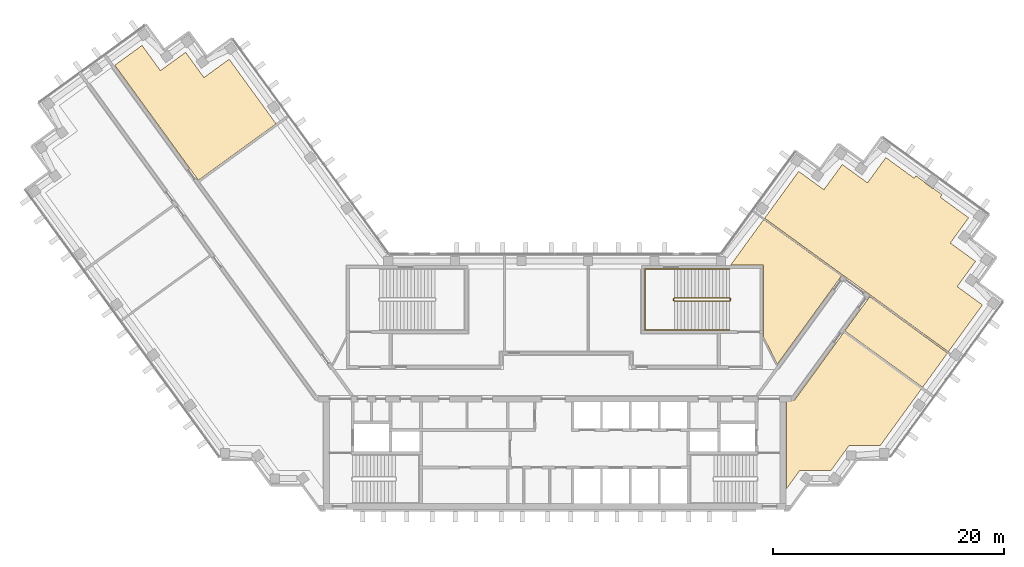
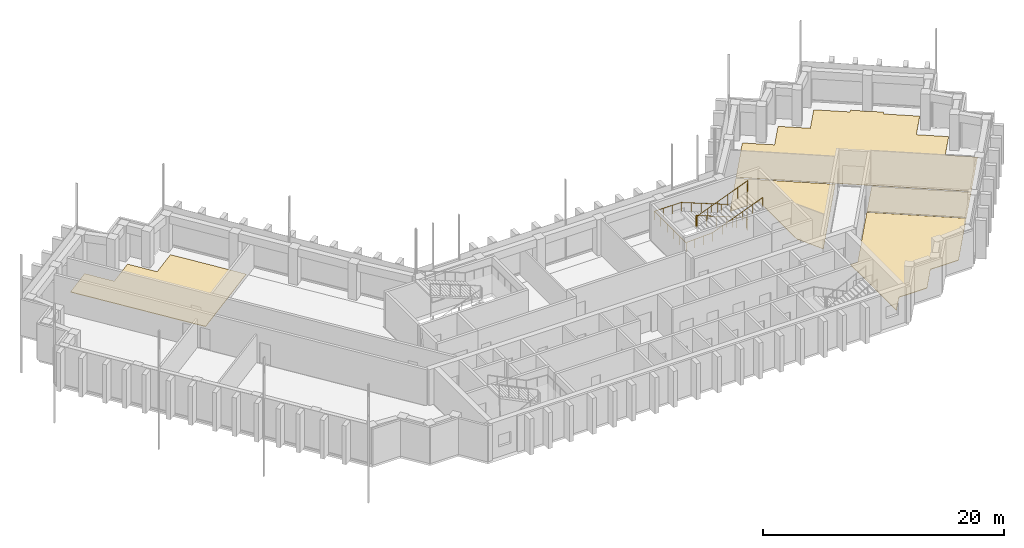
# One storey, part 12 of 12: 5 coverings, 2 railings.
"""IFC4 building model written with IfcOpenShell, lengths in metres."""

from ifc_helpers import new_model, si_unit, direction, frame, origin, origin_2d, place, context, subcontext, project, spatial, polyline, circle, outline, extrude, material, layer, layer_set, type_object, element, save


model = new_model("IFC4")

# Units and contexts
model_context = context("Model", 3, precision=1e-05, world=origin(), true_north=direction((0.0, 1.0)))
body_context = subcontext(model_context, "Body", "Model", "MODEL_VIEW")
ifc_project = project(units=[si_unit("LENGTHUNIT", "METRE"), si_unit("AREAUNIT", "SQUARE_METRE"), si_unit("VOLUMEUNIT", "CUBIC_METRE"), si_unit("PLANEANGLEUNIT", "RADIAN"), si_unit("MASSUNIT", "GRAM", prefix="KILO")], contexts=[model_context])

# Site, building, storey
site_placement = place(None, origin())
site = spatial("IfcSite", under=ifc_project, at=site_placement, CompositionType="ELEMENT")
building_placement = place(site_placement, origin())
building = spatial("IfcBuilding", under=site, at=building_placement, Name="Quipu Civic Tower", CompositionType="ELEMENT")
storey_placement = place(building_placement, frame((0.0, 0.0, 234.0)))
storey = spatial("IfcBuildingStorey", under=building, at=storey_placement, Name="L55", CompositionType="ELEMENT", Elevation=234.0)

# Coverings
ifc_material_1 = material(Name="Carpet tile on raised access floor")
ifc_layer_1 = layer(ifc_material_1, 0.02001953125)
ifc_layer_set_1 = layer_set([ifc_layer_1], Name="Carpet tile on raised access floor")
covering_type_1 = type_object("IfcCoveringType", Name="Carpet tile floor finish 20", PredefinedType="FLOORING", material=ifc_layer_set_1)
covering_1_placement = place(storey_placement, origin())
element("IfcCovering", 1, at=covering_1_placement, inside=storey, type_object=covering_type_1, Name="Carpet tile floor finish 20", PredefinedType="FLOORING", context=body_context, shape_type="SweptSolid", body=[
    extrude(outline(polyline([(15.238037109375, 10.169921875), (18.089111328125, 14.093994140625), (24.81201171875, 9.2109375), (19.27197265625, 1.583984375), (18.070068359375, 3.94189453125), (18.070068359375, 10.1689453125), (15.238037109375, 10.169921875)])), origin(), (0.0, 0.0, 1.0), 0.02001953125),
])
covering_2_placement = place(storey_placement, origin())
element("IfcCovering", 2, at=covering_2_placement, inside=storey, type_object=covering_type_1, Name="Carpet tile floor finish 20", PredefinedType="FLOORING", context=body_context, shape_type="SweptSolid", body=[
    extrude(outline(polyline([(18.172119140625, 14.20703125), (21.116943359375, 18.260986328125), (23.301025390625, 16.675048828125), (24.887939453125, 18.85791015625), (27.073974609375, 17.27197265625), (28.658935546875, 19.455078125), (31.116943359375, 17.6708984375), (31.27099609375, 17.8798828125), (32.032958984375, 17.325927734375), (32.032958984375, 17.324951171875), (32.031005859375, 17.321044921875), (32.030029296875, 17.31591796875), (32.029052734375, 17.31103515625), (32.028076171875, 17.305908203125), (32.028076171875, 17.302001953125), (32.029052734375, 17.297119140625), (32.030029296875, 17.2919921875), (32.031005859375, 17.287109375), (32.032958984375, 17.282958984375), (32.035888671875, 17.278076171875), (32.0380859375, 17.27392578125), (32.041015625, 17.27099609375), (32.044921875, 17.26708984375), (32.049072265625, 17.263916015625), (32.696044921875, 16.7939453125), (32.699951171875, 16.791015625), (32.7041015625, 16.7890625), (32.708984375, 16.787109375), (32.714111328125, 16.785888671875), (32.718994140625, 16.784912109375), (32.722900390625, 16.783935546875), (32.72802734375, 16.783935546875), (32.73291015625, 16.784912109375), (32.738037109375, 16.785888671875), (32.742919921875, 16.787109375), (32.7470703125, 16.7890625), (32.751953125, 16.7919921875), (32.756103515625, 16.7939453125), (32.759033203125, 16.798095703125), (32.760009765625, 16.798095703125), (33.52197265625, 16.2451171875), (33.3701171875, 16.032958984375), (35.826904296875, 14.248046875), (34.240966796875, 12.06396484375), (36.425048828125, 10.47607421875), (34.839111328125, 8.291015625), (37.02197265625, 6.7060546875), (34.077880859375, 2.652099609375), (18.172119140625, 14.20703125)])), origin(), (0.0, 0.0, 1.0), 0.02001953125),
])
ifc_material_2 = material(Name="Ceramic floor tile")
ifc_layer_2 = layer(ifc_material_2, 0.030029296875)
ifc_layer_set_2 = layer_set([ifc_layer_2], Name="Ceramic floor tile")
covering_type_2 = type_object("IfcCoveringType", Name="Ceramic tile floor finish 30", PredefinedType="FLOORING", material=ifc_layer_set_2)
covering_3_placement = place(storey_placement, origin())
element("IfcCovering", 3, at=covering_3_placement, inside=storey, type_object=covering_type_2, Name="Ceramic tile floor finish 30", PredefinedType="FLOORING", context=body_context, shape_type="SweptSolid", body=[
    extrude(outline(polyline([(25.117919921875, 4.4580078125), (27.27197265625, 7.423095703125), (33.9951171875, 2.5390625), (31.841064453125, -0.426025390625), (25.117919921875, 4.4580078125)])), origin(), (0.0, 0.0, 1.0), 0.030029296875),
])
ifc_material_3 = material(Name="Sealed cement screed")
ifc_layer_3 = layer(ifc_material_3, 0.050048828125)
ifc_layer_set_3 = layer_set([ifc_layer_3], Name="Sealed cement screed")
covering_type_3 = type_object("IfcCoveringType", Name="Sealed screed floor finish 50", PredefinedType="FLOORING", material=ifc_layer_set_3)
covering_4_placement = place(storey_placement, origin())
element("IfcCovering", 4, at=covering_4_placement, inside=storey, type_object=covering_type_3, Name="Sealed screed floor finish 50", PredefinedType="FLOORING", context=body_context, shape_type="SweptSolid", body=[
    extrude(outline(polyline([(20.070068359375, -9.195068359375), (20.070068359375, -1.52001953125), (20.77490234375, -1.51904296875), (25.034912109375, 4.344970703125), (31.758056640625, -0.5390625), (28.181884765625, -5.4609375), (25.48193359375, -5.4619140625), (23.89501953125, -7.64599609375), (21.196044921875, -7.64599609375), (20.070068359375, -9.195068359375)])), origin(), (0.0, 0.0, 1.0), 0.050048828125),
])
covering_5_placement = place(storey_placement, origin())
element("IfcCovering", 5, at=covering_5_placement, inside=storey, type_object=covering_type_3, Name="Sealed screed floor finish 50", PredefinedType="FLOORING", context=body_context, shape_type="SweptSolid", body=[
    extrude(outline(polyline([(-38.06689453125, 27.4541015625), (-35.712890625, 29.1640625), (-34.126953125, 26.97998046875), (-31.94091796875, 28.56591796875), (-30.35400390625, 26.383056640625), (-28.169921875, 27.968994140625), (-24.112060546875, 22.382080078125), (-30.8349609375, 17.4990234375), (-38.06689453125, 27.4541015625)])), origin(), (0.0, 0.0, 1.0), 0.050048828125),
])

# Railings
ifc_material_4 = material(Name="Stainless steel", Category="steel")
railing_type_1 = type_object("IfcRailingType", Name="Stair guard 1100", PredefinedType="GUARDRAIL", material=ifc_material_4)
railing_1_placement = place(storey_placement, frame((15.14990234375, 7.300048828125, 0.11767578125)))
element("IfcRailing", 6, at=railing_1_placement, inside=storey, type_object=railing_type_1, Name="Stair 4 guard", PredefinedType="GUARDRAIL", context=body_context, shape_type="SweptSolid", body=[
    extrude(circle(Radius=0.02392578125, at=origin_2d()), frame((0.0, 0.0, 1.076171875), z_axis=(-0.930970042603, 0.0, 0.365095576219), x_axis=(0.0, -1.0, 0.0)), (0.0, 0.0, 1.0), 5.15576171875),
    extrude(circle(Radius=0.02392578125, at=origin_2d()), frame((-4.7998046875, 0.0, 2.95849609375), z_axis=(-0.707106781187, -0.707106781187, 0.0), x_axis=(0.707106781187, -0.707106781187, 0.0)), (0.0, 0.0, 1.0), 0.07080078125),
    extrude(circle(Radius=0.02392578125, at=origin_2d()), frame((-4.849853515625, -0.050048828125, 2.95849609375), z_axis=(0.0, -1.0, 0.0), x_axis=(1.0, 0.0, 0.0)), (0.0, 0.0, 1.0), 0.14990234375),
    extrude(circle(Radius=0.02392578125, at=origin_2d()), frame((-4.849853515625, -0.199951171875, 2.95849609375), z_axis=(0.364463019033, -0.364463019033, 0.856932561824), x_axis=(0.707106781187, 0.707106781187, 0.0)), (0.0, 0.0, 1.0), 0.13720703125),
    extrude(circle(Radius=0.02392578125, at=origin_2d()), frame((-4.7998046875, -0.25, 3.076171875), z_axis=(0.930970042603, 0.0, 0.365095576219), x_axis=(0.0, 1.0, 0.0)), (0.0, 0.0, 1.0), 5.15576171875),
    extrude(circle(Radius=0.02392578125, at=origin_2d()), frame((0.0, -0.25, 4.95849609375), z_axis=(0.012495627992, 0.049921557685, -0.998674970829), x_axis=(-0.970072785993, 0.242814311512, 0.0)), (0.0, 0.0, 1.0), 4.00537109375),
    extrude(circle(Radius=0.02392578125, at=origin_2d()), frame((0.050048828125, -0.050048828125, 0.95849609375), z_axis=(0.0, -1.0, 0.0), x_axis=(1.0, 0.0, 0.0)), (0.0, 0.0, 1.0), 0.14990234375),
    extrude(circle(Radius=0.02099609375, at=origin_2d()), origin(), (0.0, 0.0, 1.0), 1.052001953125),
    extrude(circle(Radius=0.02099609375, at=origin_2d()), frame((-0.9599609375, 0.0, 0.37646484375)), (0.0, 0.0, 1.0), 1.052001953125),
    extrude(circle(Radius=0.02099609375, at=origin_2d()), frame((-1.919921875, 0.0, 0.7529296875)), (0.0, 0.0, 1.0), 1.052001953125),
    extrude(circle(Radius=0.02099609375, at=origin_2d()), frame((-2.8798828125, 0.0, 1.12939453125)), (0.0, 0.0, 1.0), 1.052001953125),
    extrude(circle(Radius=0.02099609375, at=origin_2d()), frame((-3.83984375, 0.0, 1.505859375)), (0.0, 0.0, 1.0), 1.052001953125),
    extrude(circle(Radius=0.02099609375, at=origin_2d()), frame((-4.7998046875, 0.0, 1.88232421875)), (0.0, 0.0, 1.0), 1.052001953125),
    extrude(circle(Radius=0.02099609375, at=origin_2d()), frame((-4.849853515625, -0.050048828125, 1.88232421875)), (0.0, 0.0, 1.0), 1.052001953125),
    extrude(circle(Radius=0.02099609375, at=origin_2d()), frame((-4.849853515625, -0.199951171875, 1.88232421875)), (0.0, 0.0, 1.0), 1.052001953125),
    extrude(circle(Radius=0.02099609375, at=origin_2d()), frame((-4.7998046875, -0.25, 2.0)), (0.0, 0.0, 1.0), 1.052001953125),
    extrude(circle(Radius=0.02099609375, at=origin_2d()), frame((-3.83984375, -0.25, 2.37646484375)), (0.0, 0.0, 1.0), 1.052001953125),
    extrude(circle(Radius=0.02099609375, at=origin_2d()), frame((-2.8798828125, -0.25, 2.7529296875)), (0.0, 0.0, 1.0), 1.052001953125),
    extrude(circle(Radius=0.02099609375, at=origin_2d()), frame((-1.919921875, -0.25, 3.12939453125)), (0.0, 0.0, 1.0), 1.052001953125),
    extrude(circle(Radius=0.02099609375, at=origin_2d()), frame((-0.9599609375, -0.25, 3.505859375)), (0.0, 0.0, 1.0), 1.052001953125),
    extrude(circle(Radius=0.02099609375, at=origin_2d()), frame((0.0, -0.25, 3.88232421875)), (0.0, 0.0, 1.0), 1.052001953125),
    extrude(circle(Radius=0.02099609375, at=origin_2d()), frame((0.012451171875, -0.199951171875, 2.88232421875)), (0.0, 0.0, 1.0), 1.052001953125),
    extrude(circle(Radius=0.02099609375, at=origin_2d()), frame((0.02490234375, -0.14990234375, 1.88232421875)), (0.0, 0.0, 1.0), 1.052001953125),
    extrude(circle(Radius=0.02099609375, at=origin_2d()), frame((0.03759765625, -0.10009765625, 0.88232421875)), (0.0, 0.0, 1.0), 1.052001953125),
    extrude(circle(Radius=0.02099609375, at=origin_2d()), frame((0.050048828125, -0.050048828125, -0.11767578125)), (0.0, 0.0, 1.0), 1.052001953125),
    extrude(circle(Radius=0.02099609375, at=origin_2d()), frame((0.050048828125, -0.199951171875, -0.11767578125)), (0.0, 0.0, 1.0), 1.052001953125),
])
ifc_material_5 = material(Name="Stainless steel", Category="steel")
railing_type_2 = type_object("IfcRailingType", Name="Stair handrail", PredefinedType="HANDRAIL", material=ifc_material_5)
railing_2_placement = place(storey_placement, frame((15.14990234375, 9.800048828125, 0.11767578125)))
element("IfcRailing", 7, at=railing_2_placement, inside=storey, type_object=railing_type_2, Name="Stair 4 handrail", PredefinedType="HANDRAIL", context=body_context, shape_type="SweptSolid", body=[
    extrude(circle(Radius=0.02392578125, at=origin_2d()), frame((0.0, 0.0, 0.8759765625), z_axis=(-0.930970042603, 0.0, 0.365095576219), x_axis=(0.0, -1.0, 0.0)), (0.0, 0.0, 1.0), 5.15576171875),
    extrude(circle(Radius=0.02392578125, at=origin_2d()), frame((-4.7998046875, 0.0, 2.75830078125), z_axis=(-1.0, 0.0, 0.0), x_axis=(0.0, -1.0, 0.0)), (0.0, 0.0, 1.0), 2.550048828125),
    extrude(circle(Radius=0.02392578125, at=origin_2d()), frame((-7.349853515625, 0.0, 2.75830078125), z_axis=(0.0, -1.0, 0.0), x_axis=(1.0, 0.0, 0.0)), (0.0, 0.0, 1.0), 5.25),
    extrude(circle(Radius=0.02392578125, at=origin_2d()), frame((-7.349853515625, -5.25, 2.75830078125), z_axis=(0.998936948642, 0.0, 0.04609742549), x_axis=(0.0, 1.0, 0.0)), (0.0, 0.0, 1.0), 2.552734375),
    extrude(circle(Radius=0.02392578125, at=origin_2d()), frame((-4.7998046875, -5.25, 2.8759765625), z_axis=(0.930970042603, 0.0, 0.365095576219), x_axis=(0.0, 1.0, 0.0)), (0.0, 0.0, 1.0), 5.15576171875),
    extrude(circle(Radius=0.02099609375, at=origin_2d()), origin(), (0.0, 0.0, 1.0), 0.851806640625),
    extrude(circle(Radius=0.02099609375, at=origin_2d()), frame((-0.9599609375, 0.0, 0.37646484375)), (0.0, 0.0, 1.0), 0.851806640625),
    extrude(circle(Radius=0.02099609375, at=origin_2d()), frame((-1.919921875, 0.0, 0.7529296875)), (0.0, 0.0, 1.0), 0.851806640625),
    extrude(circle(Radius=0.02099609375, at=origin_2d()), frame((-2.8798828125, 0.0, 1.12939453125)), (0.0, 0.0, 1.0), 0.851806640625),
    extrude(circle(Radius=0.02099609375, at=origin_2d()), frame((-3.83984375, 0.0, 1.505859375)), (0.0, 0.0, 1.0), 0.851806640625),
    extrude(circle(Radius=0.02099609375, at=origin_2d()), frame((-4.7998046875, 0.0, 1.88232421875)), (0.0, 0.0, 1.0), 0.851806640625),
    extrude(circle(Radius=0.02099609375, at=origin_2d()), frame((-5.64990234375, 0.0, 1.88232421875)), (0.0, 0.0, 1.0), 0.851806640625),
    extrude(circle(Radius=0.02099609375, at=origin_2d()), frame((-6.499755859375, 0.0, 1.88232421875)), (0.0, 0.0, 1.0), 0.851806640625),
    extrude(circle(Radius=0.02099609375, at=origin_2d()), frame((-7.349853515625, 0.0, 1.88232421875)), (0.0, 0.0, 1.0), 0.851806640625),
    extrude(circle(Radius=0.02099609375, at=origin_2d()), frame((-7.349853515625, -1.050048828125, 1.88232421875)), (0.0, 0.0, 1.0), 0.851806640625),
    extrude(circle(Radius=0.02099609375, at=origin_2d()), frame((-7.349853515625, -2.10009765625, 1.88232421875)), (0.0, 0.0, 1.0), 0.851806640625),
    extrude(circle(Radius=0.02099609375, at=origin_2d()), frame((-7.349853515625, -3.14990234375, 1.88232421875)), (0.0, 0.0, 1.0), 0.851806640625),
    extrude(circle(Radius=0.02099609375, at=origin_2d()), frame((-7.349853515625, -4.199951171875, 1.88232421875)), (0.0, 0.0, 1.0), 0.851806640625),
    extrude(circle(Radius=0.02099609375, at=origin_2d()), frame((-7.349853515625, -5.25, 1.88232421875)), (0.0, 0.0, 1.0), 0.851806640625),
    extrude(circle(Radius=0.02099609375, at=origin_2d()), frame((-6.499755859375, -5.25, 1.921630859375)), (0.0, 0.0, 1.0), 0.851806640625),
    extrude(circle(Radius=0.02099609375, at=origin_2d()), frame((-5.64990234375, -5.25, 1.960693359375)), (0.0, 0.0, 1.0), 0.851806640625),
    extrude(circle(Radius=0.02099609375, at=origin_2d()), frame((-4.7998046875, -5.25, 2.0)), (0.0, 0.0, 1.0), 0.851806640625),
    extrude(circle(Radius=0.02099609375, at=origin_2d()), frame((-3.83984375, -5.25, 2.37646484375)), (0.0, 0.0, 1.0), 0.851806640625),
    extrude(circle(Radius=0.02099609375, at=origin_2d()), frame((-2.8798828125, -5.25, 2.7529296875)), (0.0, 0.0, 1.0), 0.851806640625),
    extrude(circle(Radius=0.02099609375, at=origin_2d()), frame((-1.919921875, -5.25, 3.12939453125)), (0.0, 0.0, 1.0), 0.851806640625),
    extrude(circle(Radius=0.02099609375, at=origin_2d()), frame((-0.9599609375, -5.25, 3.505859375)), (0.0, 0.0, 1.0), 0.851806640625),
    extrude(circle(Radius=0.02099609375, at=origin_2d()), frame((0.0, -5.25, 3.88232421875)), (0.0, 0.0, 1.0), 0.851806640625),
])

save(model, "model.ifc")
